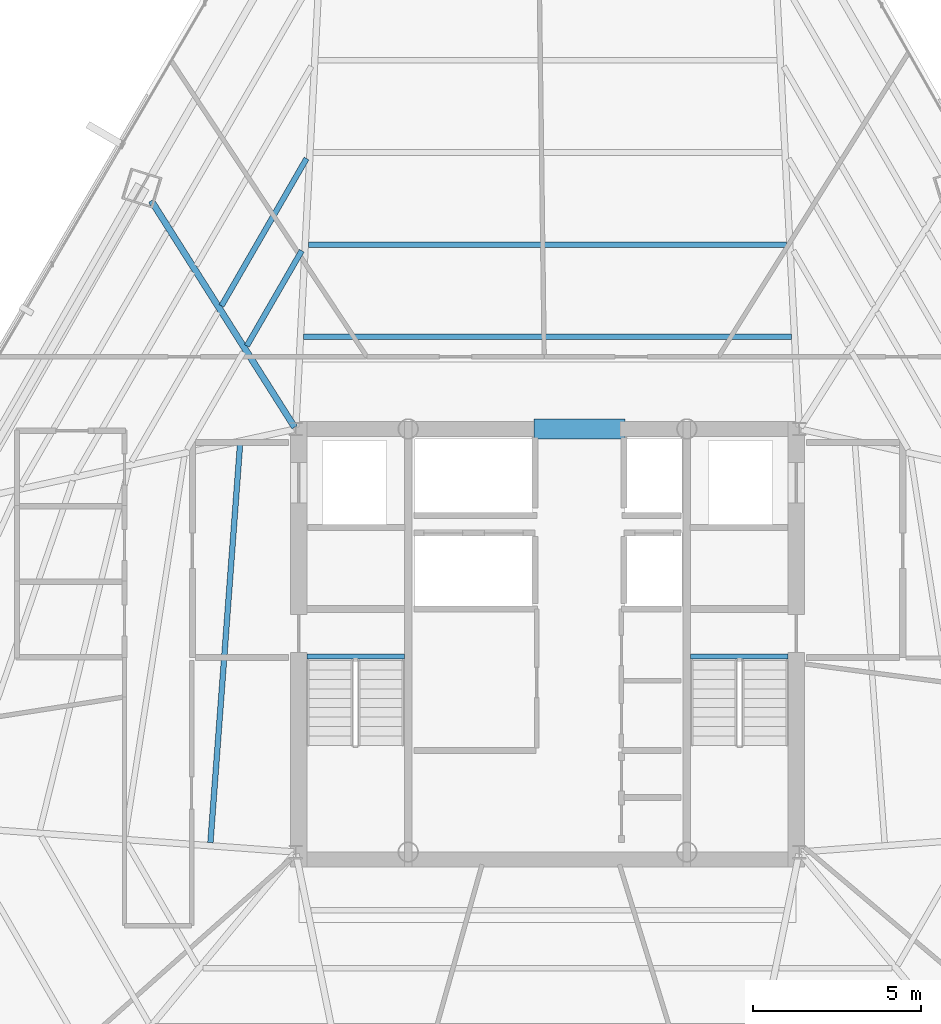
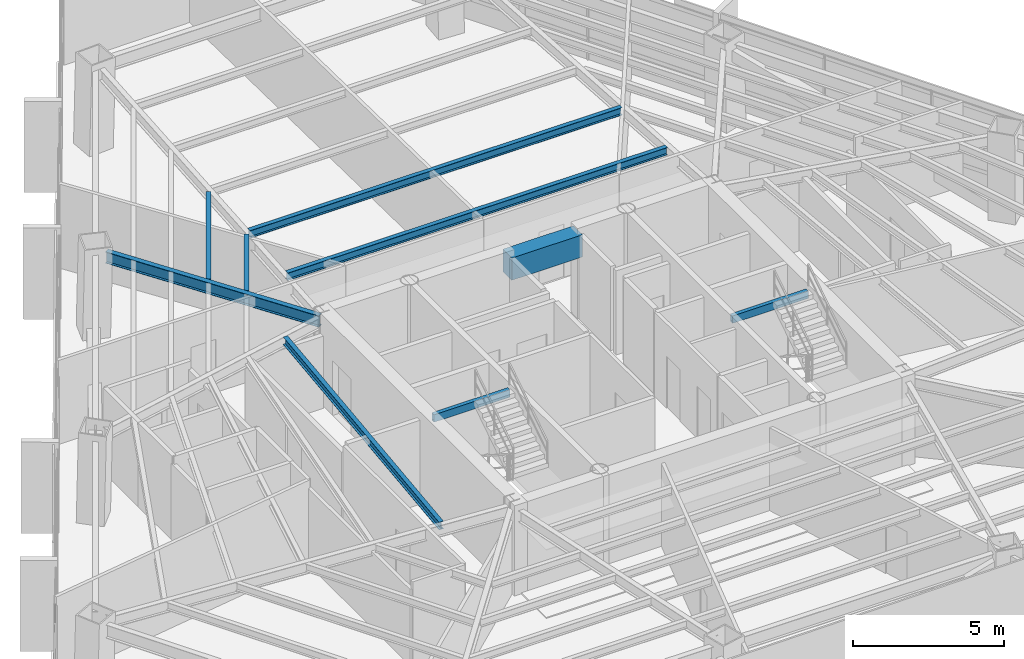
# One storey, part 16 of 41: 9 beams.
"""IFC4 building model written with IfcOpenShell, lengths in metres."""

from ifc_helpers import new_model, si_unit, direction, frame, origin, origin_2d, place, context, subcontext, project, spatial, rectangle, hollow_rectangle, i_section, extrude, source, transform, mapped, material, material_profile, profile_set, type_object, type_shapes, element, save


model = new_model("IFC4")

# Units and contexts
model_context = context("Model", 3, precision=1e-05, world=origin(), true_north=direction((0.0, 1.0)))
body_context = subcontext(model_context, "Body", "Model", "MODEL_VIEW")
ifc_project = project(units=[si_unit("LENGTHUNIT", "METRE"), si_unit("AREAUNIT", "SQUARE_METRE"), si_unit("VOLUMEUNIT", "CUBIC_METRE"), si_unit("PLANEANGLEUNIT", "RADIAN"), si_unit("MASSUNIT", "GRAM", prefix="KILO")], contexts=[model_context])

# Site, building, storey
site_placement = place(None, origin())
site = spatial("IfcSite", under=ifc_project, at=site_placement, CompositionType="ELEMENT")
building_placement = place(site_placement, origin())
building = spatial("IfcBuilding", under=site, at=building_placement, Name="Caelisora Broadcast Tower", CompositionType="ELEMENT")
storey_placement = place(building_placement, frame((0.0, 0.0, 135.449951171875)))
storey = spatial("IfcBuildingStorey", under=building, at=storey_placement, Name="L35", CompositionType="ELEMENT", Elevation=135.449951171875)

# Beams
ifc_material_1 = material(Name="Steel Grade 350 (AS/NZS 1163 C350L0)", Category="steel")
ifc_material_profile_1 = material_profile(ifc_material_1, hollow_rectangle(XDim=0.14990234375, YDim=0.300048828125, WallThickness=0.010009765625, at=origin_2d()), Name="Steel Grade 350 (AS/NZS 1163 C350L0)")
ifc_profile_set_1 = profile_set([ifc_material_profile_1], Name="Steel Grade 350 (AS/NZS 1163 C350L0)")
beam_type_1 = type_object("IfcBeamType", Name="SB05", PredefinedType="JOIST", material=ifc_profile_set_1)
shared_shape_1 = source(origin(), body_context, "Body", "SweptSolid", [
    extrude(hollow_rectangle(XDim=0.14990234375, YDim=0.300048828125, WallThickness=0.010009765625, at=origin_2d()), origin(), (0.0, 0.0, 1.0), 2.89990234375),
])
type_shapes(beam_type_1, [shared_shape_1])
for number, where, z_axis, x_axis, name in (
    (1, (30.840087890625, 23.219970703125, 3.25), (1.0, 0.0, 0.0), (0.0, 1.0, 0.0), "L35 beam SB05"),
    (2, (42.260009765625, 23.219970703125, 3.25), (1.0, 0.0, 0.0), (0.0, 1.0, 0.0), "L35 beam SB05"),
):
    element("IfcBeam", number, at=place(storey_placement, frame(where, z_axis=z_axis, x_axis=x_axis)), inside=storey, type_object=beam_type_1, Name=name, PredefinedType="JOIST", context=body_context, shape_type="MappedRepresentation", body=[
        mapped(shared_shape_1, transform((0.0, 0.0, 0.0), scale=1.0)),
    ])
ifc_material_2 = material(Name="Concrete 50 MPa (AS 3600 S50)", Category="concrete")
ifc_material_profile_2 = material_profile(ifc_material_2, rectangle(XDim=0.60009765625, YDim=0.89990234375, at=origin_2d()), Name="Concrete 50 MPa (AS 3600 S50)")
ifc_profile_set_2 = profile_set([ifc_material_profile_2], Name="Concrete 50 MPa (AS 3600 S50)")
beam_type_2 = type_object("IfcBeamType", Name="CB02", PredefinedType="LINTEL", material=ifc_profile_set_2)
shared_shape_2 = source(origin(), body_context, "Body", "SweptSolid", [
    extrude(rectangle(XDim=0.60009765625, YDim=0.89990234375, at=origin_2d()), origin(), (0.0, 0.0, 1.0), 2.699951171875),
])
type_shapes(beam_type_2, [shared_shape_2])
beam_1_placement = place(storey_placement, frame((37.60009765625, 30.0, 2.949951171875), z_axis=(1.0, 0.0, 0.0), x_axis=(0.0, 1.0, 0.0)))
element("IfcBeam", 3, at=beam_1_placement, inside=storey, type_object=beam_type_2, Name="L35 beam CB02", PredefinedType="LINTEL", context=body_context, shape_type="MappedRepresentation", body=[
    mapped(shared_shape_2, transform((0.0, 0.0, 0.0), scale=1.0)),
])
ifc_material_3 = material(Name="Steel Grade 350 (AS/NZS 3679.1)", Category="steel")
ifc_material_profile_3 = material_profile(ifc_material_3, i_section(OverallWidth=0.19091796875, OverallDepth=0.46044921875, WebThickness=0.010009765625, FlangeThickness=0.01611328125, at=origin_2d()), Name="Steel Grade 350 (AS/NZS 3679.1)")
ifc_profile_set_3 = profile_set([ifc_material_profile_3], Name="Steel Grade 350 (AS/NZS 3679.1)")
beam_type_3 = type_object("IfcBeamType", Name="PG06", PredefinedType="BEAM", material=ifc_profile_set_3)
shared_shape_3 = source(origin(), body_context, "Body", "SweptSolid", [
    extrude(i_section(OverallWidth=0.19091796875, OverallDepth=0.46044921875, WebThickness=0.010009765625, FlangeThickness=0.01611328125, at=origin_2d()), origin(), (0.0, 0.0, 1.0), 7.98486328125),
])
type_shapes(beam_type_3, [shared_shape_3])
beam_2_placement = place(storey_placement, frame((30.468017578125, 30.05078125, 3.169921875), z_axis=(-0.534701425023, 0.845041055854, 0.0), x_axis=(-0.845041055854, -0.534701425023, 0.0)))
element("IfcBeam", 4, at=beam_2_placement, inside=storey, type_object=beam_type_3, Name="L35 beam PG06", PredefinedType="BEAM", context=body_context, shape_type="MappedRepresentation", body=[
    mapped(shared_shape_3, transform((0.0, 0.0, 0.0), scale=1.0)),
])
ifc_material_profile_4 = material_profile(ifc_material_3, i_section(OverallWidth=0.166015625, OverallDepth=0.30712890625, WebThickness=0.006591796875, FlangeThickness=0.01171875, at=origin_2d()), Name="Steel Grade 350 (AS/NZS 3679.1)")
ifc_profile_set_4 = profile_set([ifc_material_profile_4], Name="Steel Grade 350 (AS/NZS 3679.1)")
beam_type_4 = type_object("IfcBeamType", Name="SB03", PredefinedType="JOIST", material=ifc_profile_set_4)
shared_shape_4 = source(origin(), body_context, "Body", "SweptSolid", [
    extrude(i_section(OverallWidth=0.166015625, OverallDepth=0.30712890625, WebThickness=0.006591796875, FlangeThickness=0.01171875, at=origin_2d()), origin(), (0.0, 0.0, 1.0), 14.53076171875),
])
beam_3_placement = place(storey_placement, frame((45.265380859375, 32.74462890625, 3.246337890625), z_axis=(-1.0, 0.0, 0.0), x_axis=(0.0, -1.0, 0.0)))
element("IfcBeam", 5, at=beam_3_placement, inside=storey, type_object=beam_type_4, Name="L35 beam SB03", PredefinedType="JOIST", context=body_context, shape_type="MappedRepresentation", body=[
    mapped(shared_shape_4, transform((0.0, 0.0, 0.0), scale=1.0)),
])
shared_shape_5 = source(origin(), body_context, "Body", "SweptSolid", [
    extrude(i_section(OverallWidth=0.166015625, OverallDepth=0.30712890625, WebThickness=0.006591796875, FlangeThickness=0.01171875, at=origin_2d()), origin(), (0.0, 0.0, 1.0), 14.24658203125),
])
beam_4_placement = place(storey_placement, frame((45.123291015625, 35.489501953125, 3.246337890625), z_axis=(-1.0, 0.0, 0.0), x_axis=(0.0, -1.0, 0.0)))
element("IfcBeam", 6, at=beam_4_placement, inside=storey, type_object=beam_type_4, Name="L35 beam SB03", PredefinedType="JOIST", context=body_context, shape_type="MappedRepresentation", body=[
    mapped(shared_shape_5, transform((0.0, 0.0, 0.0), scale=1.0)),
])
shared_shape_6 = source(origin(), body_context, "Body", "SweptSolid", [
    extrude(i_section(OverallWidth=0.166015625, OverallDepth=0.30712890625, WebThickness=0.006591796875, FlangeThickness=0.01171875, at=origin_2d()), origin(), (0.0, 0.0, 1.0), 3.2734375),
])
beam_5_placement = place(storey_placement, frame((30.680419921875, 35.31005859375, 3.246337890625), z_axis=(-0.499989298045, -0.866031582473, 0.0), x_axis=(0.866031582473, -0.499989298045, 0.0)))
element("IfcBeam", 7, at=beam_5_placement, inside=storey, type_object=beam_type_4, Name="L35 beam SB03", PredefinedType="JOIST", context=body_context, shape_type="MappedRepresentation", body=[
    mapped(shared_shape_6, transform((0.0, 0.0, 0.0), scale=1.0)),
])
shared_shape_7 = source(origin(), body_context, "Body", "SweptSolid", [
    extrude(i_section(OverallWidth=0.166015625, OverallDepth=0.30712890625, WebThickness=0.006591796875, FlangeThickness=0.01171875, at=origin_2d()), origin(), (0.0, 0.0, 1.0), 5.06591796875),
])
beam_6_placement = place(storey_placement, frame((30.822509765625, 38.0546875, 3.246337890625), z_axis=(-0.500036709406, -0.866004208561, 0.0), x_axis=(0.866004208561, -0.500036709406, 0.0)))
element("IfcBeam", 8, at=beam_6_placement, inside=storey, type_object=beam_type_4, Name="L35 beam SB03", PredefinedType="JOIST", context=body_context, shape_type="MappedRepresentation", body=[
    mapped(shared_shape_7, transform((0.0, 0.0, 0.0), scale=1.0)),
])
shared_shape_8 = source(origin(), body_context, "Body", "SweptSolid", [
    extrude(i_section(OverallWidth=0.166015625, OverallDepth=0.30712890625, WebThickness=0.006591796875, FlangeThickness=0.01171875, at=origin_2d()), origin(), (0.0, 0.0, 1.0), 11.896728515625),
])
type_shapes(beam_type_4, [shared_shape_4, shared_shape_5, shared_shape_6, shared_shape_7, shared_shape_8])
beam_7_placement = place(storey_placement, frame((28.84228515625, 29.54345703125, 3.246337890625), z_axis=(-0.074185384329, -0.997244467897, 0.0), x_axis=(0.997244467897, -0.074185384329, 0.0)))
element("IfcBeam", 9, at=beam_7_placement, inside=storey, type_object=beam_type_4, Name="L35 beam SB03", PredefinedType="JOIST", context=body_context, shape_type="MappedRepresentation", body=[
    mapped(shared_shape_8, transform((0.0, 0.0, 0.0), scale=1.0)),
])

save(model, "model.ifc")
